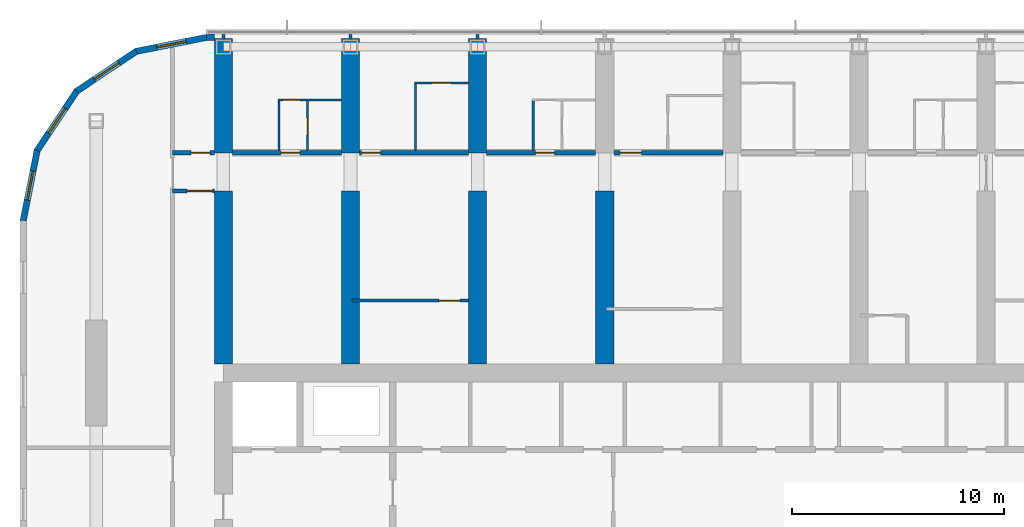
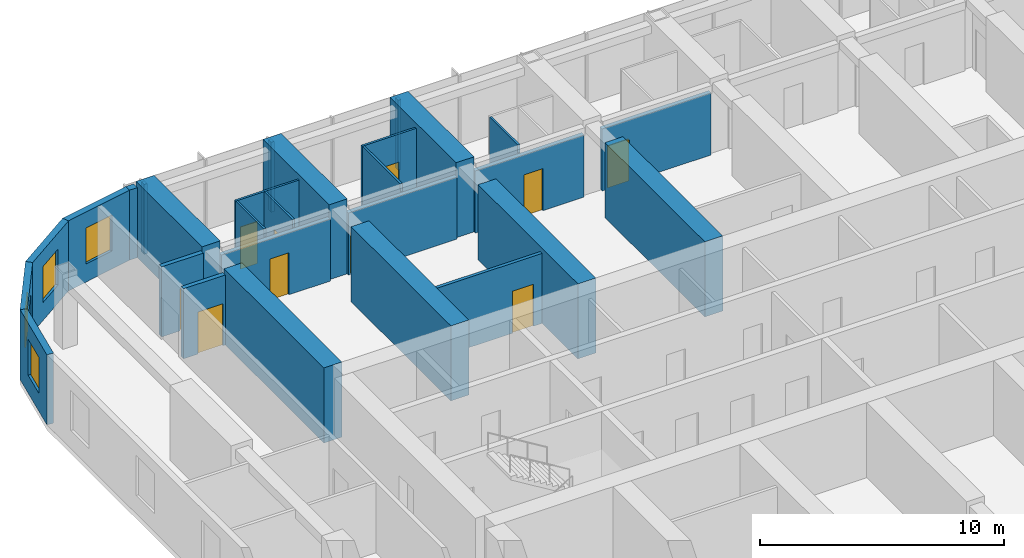
# One storey, part 15 of 22: 28 walls, 10 doors, 4 windows, 14 openings.
"""IFC4 building model written with IfcOpenShell, lengths in metres."""

from ifc_helpers import new_model, si_unit, direction, frame, frame_2d, origin, place, context, subcontext, project, spatial, polyline, rectangle, outline, extrude, material, layer, layer_set, type_object, element, fill, save


model = new_model("IFC4")

# Units and contexts
model_context = context("Model", 3, precision=1e-05, world=origin(), true_north=direction((0.0, 1.0)))
body_context = subcontext(model_context, "Body", "Model", "MODEL_VIEW")
ifc_project = project(units=[si_unit("LENGTHUNIT", "METRE"), si_unit("AREAUNIT", "SQUARE_METRE"), si_unit("VOLUMEUNIT", "CUBIC_METRE"), si_unit("PLANEANGLEUNIT", "RADIAN"), si_unit("MASSUNIT", "GRAM", prefix="KILO")], contexts=[model_context])

# Site, building, storey
site_placement = place(None, origin())
site = spatial("IfcSite", under=ifc_project, at=site_placement, CompositionType="ELEMENT")
building_placement = place(site_placement, origin())
building = spatial("IfcBuilding", under=site, at=building_placement, Name="Orbita Commons", CompositionType="ELEMENT")
storey_placement = place(building_placement, frame((0.0, 0.0, 186.10009765625)))
storey = spatial("IfcBuildingStorey", under=building, at=storey_placement, Name="L46", CompositionType="ELEMENT", Elevation=186.10009765625)

# Wall, opening, door
ifc_material_1 = material(Name="Concrete blockwork", Category="masonry")
ifc_layer_1 = layer(ifc_material_1, 0.199951171875)
ifc_layer_set_1 = layer_set([ifc_layer_1], Name="Concrete blockwork")
wall_type_1 = type_object("IfcWallType", Name="Corridor wall 200 blockwork", PredefinedType="SOLIDWALL", material=ifc_layer_set_1)
wall_1_placement = place(storey_placement, frame((15.60009765625, 48.60009765625, 0.0), z_axis=(0.0, 0.0, 1.0), x_axis=(1.0, 0.0, 0.0)))
wall_1 = element("IfcWall", 1, at=wall_1_placement, inside=storey, type_object=wall_type_1, Name="Corridor wall 200 blockwork L46", PredefinedType="SOLIDWALL", context=body_context, shape_type="SweptSolid", body=[
    extrude(rectangle(XDim=1.974853515625, YDim=0.199951171875, at=frame_2d((0.9873046875, 0.0))), origin(), (0.0, 0.0, 1.0), 3.5),
])
opening_1_placement = place(wall_1_placement, frame((0.875, 0.0, 0.0)))
opening_1 = element("IfcOpeningElement", 2, at=opening_1_placement, cuts=wall_1, Name="Opening D05", PredefinedType="OPENING", context=body_context, shape_type="SweptSolid", body=[
    extrude(rectangle(XDim=0.89990234375, YDim=2.10009765625, at=frame_2d((0.449951171875, 1.050048828125))), frame((0.0, 0.10986328125, 0.0), z_axis=(0.0, -1.0, 0.0), x_axis=(1.0, 0.0, 0.0)), (0.0, 0.0, 1.0), 0.219970703125),
])
ifc_material_2 = material(Name="Steel-faced fire door leaf", Category="steel")
door_type_1 = type_object("IfcDoorType", Name="Service door 20 min 900x2100", OperationType="SINGLE_SWING_LEFT", PredefinedType="DOOR", material=ifc_material_2)
door_1_placement = place(opening_1_placement, origin())
door_1 = element("IfcDoor", 3, at=door_1_placement, inside=storey, type_object=door_type_1, Name="Linen store L46-KWN door", OperationType="SINGLE_SWING_LEFT", OverallHeight=2.10009765625, OverallWidth=0.89990234375, PredefinedType="DOOR", context=body_context, shape_type="SweptSolid", body=[
    extrude(rectangle(XDim=0.89990234375, YDim=2.10009765625, at=frame_2d((0.449951171875, 1.050048828125))), frame((0.0, 0.02490234375, 0.0), z_axis=(0.0, -1.0, 0.0), x_axis=(1.0, 0.0, 0.0)), (0.0, 0.0, 1.0), 0.050048828125),
])
fill(opening_1, door_1)

wall_2_placement = place(storey_placement, frame((18.425048828125, 48.60009765625, 0.0), z_axis=(0.0, 0.0, 1.0), x_axis=(1.0, 0.0, 0.0)))
wall_2 = element("IfcWall", 4, at=wall_2_placement, inside=storey, type_object=wall_type_1, Name="Corridor wall 200 blockwork L46", PredefinedType="SOLIDWALL", context=body_context, shape_type="SweptSolid", body=[
    extrude(outline(polyline([(0.0, 0.0), (5.14990234375, 0.0), (5.14990234375, 3.099853515625), (0.0, 3.099853515625), (0.0, 0.0)])), frame((0.0, 0.10009765625, 0.0), z_axis=(0.0, -1.0, 0.0), x_axis=(1.0, 0.0, 0.0)), (0.0, 0.0, 1.0), 0.199951171875),
])
opening_2_placement = place(wall_2_placement, frame((2.300048828125, 0.0, 0.0)))
opening_2 = element("IfcOpeningElement", 5, at=opening_2_placement, cuts=wall_2, Name="Opening D11", PredefinedType="OPENING", context=body_context, shape_type="SweptSolid", body=[
    extrude(rectangle(XDim=0.89990234375, YDim=2.10009765625, at=frame_2d((0.449951171875, 1.050048828125))), frame((0.0, 0.10986328125, 0.0), z_axis=(0.0, -1.0, 0.0), x_axis=(1.0, 0.0, 0.0)), (0.0, 0.0, 1.0), 0.219970703125),
])
ifc_material_3 = material(Name="Steel-faced fire door leaf", Category="steel")
door_type_2 = type_object("IfcDoorType", Name="Corridor door 20 min 900x2100", OperationType="SINGLE_SWING_LEFT", PredefinedType="DOOR", material=ifc_material_3)
door_2_placement = place(opening_2_placement, origin())
door_2 = element("IfcDoor", 6, at=door_2_placement, inside=storey, type_object=door_type_2, Name="Studio flat L46-N00 entrance door", OperationType="SINGLE_SWING_LEFT", OverallHeight=2.10009765625, OverallWidth=0.89990234375, PredefinedType="DOOR", context=body_context, shape_type="SweptSolid", body=[
    extrude(rectangle(XDim=0.89990234375, YDim=2.10009765625, at=frame_2d((0.449951171875, 1.050048828125))), frame((0.0, 0.02490234375, 0.0), z_axis=(0.0, -1.0, 0.0), x_axis=(1.0, 0.0, 0.0)), (0.0, 0.0, 1.0), 0.050048828125),
])
fill(opening_2, door_2)

wall_3_placement = place(storey_placement, frame((24.425048828125, 48.60009765625, 0.0), z_axis=(0.0, 0.0, 1.0), x_axis=(1.0, 0.0, 0.0)))
wall_3 = element("IfcWall", 7, at=wall_3_placement, inside=storey, type_object=wall_type_1, Name="Corridor wall 200 blockwork L46", PredefinedType="SOLIDWALL", context=body_context, shape_type="SweptSolid", body=[
    extrude(outline(polyline([(0.0, 0.0), (5.14990234375, 0.0), (5.14990234375, 3.099853515625), (0.0, 3.099853515625), (0.0, 0.0)])), frame((0.0, 0.10009765625, 0.0), z_axis=(0.0, -1.0, 0.0), x_axis=(1.0, 0.0, 0.0)), (0.0, 0.0, 1.0), 0.199951171875),
])
opening_3_placement = place(wall_3_placement, frame((0.10009765625, 0.0, 0.0)))
opening_3 = element("IfcOpeningElement", 8, at=opening_3_placement, cuts=wall_3, Name="Opening D11", PredefinedType="OPENING", context=body_context, shape_type="SweptSolid", body=[
    extrude(rectangle(XDim=0.89990234375, YDim=2.10009765625, at=frame_2d((0.449951171875, 1.050048828125))), frame((0.0, 0.10986328125, 0.0), z_axis=(0.0, -1.0, 0.0), x_axis=(1.0, 0.0, 0.0)), (0.0, 0.0, 1.0), 0.219970703125),
])
door_3_placement = place(opening_3_placement, origin())
door_3 = element("IfcDoor", 9, at=door_3_placement, inside=storey, type_object=door_type_2, Name="Twin room L46-N02 door", OperationType="SINGLE_SWING_LEFT", OverallHeight=2.10009765625, OverallWidth=0.89990234375, PredefinedType="DOOR", context=body_context, shape_type="SweptSolid", body=[
    extrude(rectangle(XDim=0.89990234375, YDim=2.10009765625, at=frame_2d((0.449951171875, 1.050048828125))), frame((0.0, 0.02490234375, 0.0), z_axis=(0.0, -1.0, 0.0), x_axis=(1.0, 0.0, 0.0)), (0.0, 0.0, 1.0), 0.050048828125),
])
fill(opening_3, door_3)

wall_4_placement = place(storey_placement, frame((30.425048828125, 48.60009765625, 0.0), z_axis=(0.0, 0.0, 1.0), x_axis=(1.0, 0.0, 0.0)))
wall_4 = element("IfcWall", 10, at=wall_4_placement, inside=storey, type_object=wall_type_1, Name="Corridor wall 200 blockwork L46", PredefinedType="SOLIDWALL", context=body_context, shape_type="SweptSolid", body=[
    extrude(outline(polyline([(0.0, 0.0), (5.14990234375, 0.0), (5.14990234375, 3.099853515625), (0.0, 3.099853515625), (0.0, 0.0)])), frame((0.0, 0.10009765625, 0.0), z_axis=(0.0, -1.0, 0.0), x_axis=(1.0, 0.0, 0.0)), (0.0, 0.0, 1.0), 0.199951171875),
])
opening_4_placement = place(wall_4_placement, frame((2.300048828125, 0.0, 0.0)))
opening_4 = element("IfcOpeningElement", 11, at=opening_4_placement, cuts=wall_4, Name="Opening D11", PredefinedType="OPENING", context=body_context, shape_type="SweptSolid", body=[
    extrude(rectangle(XDim=0.89990234375, YDim=2.10009765625, at=frame_2d((0.449951171875, 1.050048828125))), frame((0.0, 0.10986328125, 0.0), z_axis=(0.0, -1.0, 0.0), x_axis=(1.0, 0.0, 0.0)), (0.0, 0.0, 1.0), 0.219970703125),
])
door_4_placement = place(opening_4_placement, origin())
door_4 = element("IfcDoor", 12, at=door_4_placement, inside=storey, type_object=door_type_2, Name="Studio flat L46-N04 entrance door", OperationType="SINGLE_SWING_LEFT", OverallHeight=2.10009765625, OverallWidth=0.89990234375, PredefinedType="DOOR", context=body_context, shape_type="SweptSolid", body=[
    extrude(rectangle(XDim=0.89990234375, YDim=2.10009765625, at=frame_2d((0.449951171875, 1.050048828125))), frame((0.0, 0.02490234375, 0.0), z_axis=(0.0, -1.0, 0.0), x_axis=(1.0, 0.0, 0.0)), (0.0, 0.0, 1.0), 0.050048828125),
])
fill(opening_4, door_4)

wall_5_placement = place(storey_placement, frame((36.425048828125, 48.60009765625, 0.0), z_axis=(0.0, 0.0, 1.0), x_axis=(1.0, 0.0, 0.0)))
wall_5 = element("IfcWall", 13, at=wall_5_placement, inside=storey, type_object=wall_type_1, Name="Corridor wall 200 blockwork L46", PredefinedType="SOLIDWALL", context=body_context, shape_type="SweptSolid", body=[
    extrude(outline(polyline([(0.0, 0.0), (5.14990234375, 0.0), (5.14990234375, 3.099853515625), (0.0, 3.099853515625), (0.0, 0.0)])), frame((0.0, 0.10009765625, 0.0), z_axis=(0.0, -1.0, 0.0), x_axis=(1.0, 0.0, 0.0)), (0.0, 0.0, 1.0), 0.199951171875),
])
opening_5_placement = place(wall_5_placement, frame((0.300048828125, 0.0, 0.0)))
opening_5 = element("IfcOpeningElement", 14, at=opening_5_placement, cuts=wall_5, Name="Opening D06", PredefinedType="OPENING", context=body_context, shape_type="SweptSolid", body=[
    extrude(rectangle(XDim=1.0, YDim=2.10009765625, at=frame_2d((0.5, 1.050048828125))), frame((0.0, 0.10986328125, 0.0), z_axis=(0.0, -1.0, 0.0), x_axis=(1.0, 0.0, 0.0)), (0.0, 0.0, 1.0), 0.219970703125),
])
ifc_material_4 = material(Name="Steel-faced fire door leaf", Category="steel")
door_type_3 = type_object("IfcDoorType", Name="Corridor door 20 min 1000x2100", OperationType="SINGLE_SWING_LEFT", PredefinedType="DOOR", material=ifc_material_4)
door_5_placement = place(opening_5_placement, origin())
door_5 = element("IfcDoor", 15, at=door_5_placement, inside=storey, type_object=door_type_3, Name="Accessible bedroom L46-N06 door", OperationType="SINGLE_SWING_LEFT", OverallHeight=2.10009765625, OverallWidth=1.0, PredefinedType="DOOR", context=body_context, shape_type="SweptSolid", body=[
    extrude(rectangle(XDim=1.0, YDim=2.10009765625, at=frame_2d((0.5, 1.050048828125))), frame((0.0, 0.02490234375, 0.0), z_axis=(0.0, -1.0, 0.0), x_axis=(1.0, 0.0, 0.0)), (0.0, 0.0, 1.0), 0.050048828125),
])
fill(opening_5, door_5)

ifc_material_5 = material(Name="Hollow concrete block 200", Category="concrete")
ifc_layer_2 = layer(ifc_material_5, 0.199951171875)
ifc_layer_set_2 = layer_set([ifc_layer_2], Name="Hollow concrete block 200")
wall_type_2 = type_object("IfcWallType", Name="Corridor wall 200 hollow concrete block", PredefinedType="SOLIDWALL", material=ifc_layer_set_2)
wall_6_placement = place(storey_placement, frame((15.60009765625, 46.800048828125, 0.0), z_axis=(0.0, 0.0, 1.0), x_axis=(1.0, 0.0, 0.0)))
wall_6 = element("IfcWall", 16, at=wall_6_placement, inside=storey, type_object=wall_type_2, Name="Corridor wall 200 hollow concrete block L46", PredefinedType="SOLIDWALL", context=body_context, shape_type="SweptSolid", body=[
    extrude(rectangle(XDim=1.974853515625, YDim=0.199951171875, at=frame_2d((0.9873046875, 0.0))), origin(), (0.0, 0.0, 1.0), 3.5),
])
opening_6_placement = place(wall_6_placement, frame((0.675048828125, 0.0, 0.0)))
opening_6 = element("IfcOpeningElement", 17, at=opening_6_placement, cuts=wall_6, Name="Opening D12", PredefinedType="OPENING", context=body_context, shape_type="SweptSolid", body=[
    extrude(rectangle(XDim=1.199951171875, YDim=2.10009765625, at=frame_2d((0.60009765625, 1.050048828125))), frame((0.0, 0.10986328125, 0.0), z_axis=(0.0, -1.0, 0.0), x_axis=(1.0, 0.0, 0.0)), (0.0, 0.0, 1.0), 0.219970703125),
])
ifc_material_6 = material(Name="Steel-faced fire door leaf", Category="steel")
door_type_4 = type_object("IfcDoorType", Name="Double corridor door 20 min 1200x2100", OperationType="DOUBLE_DOOR_SINGLE_SWING", PredefinedType="DOOR", material=ifc_material_6)
door_6_placement = place(opening_6_placement, origin())
door_6 = element("IfcDoor", 18, at=door_6_placement, inside=storey, type_object=door_type_4, Name="Cross corridor doors", OperationType="DOUBLE_DOOR_SINGLE_SWING", OverallHeight=2.10009765625, OverallWidth=1.199951171875, PredefinedType="DOOR", context=body_context, shape_type="SweptSolid", body=[
    extrude(rectangle(XDim=1.199951171875, YDim=2.10009765625, at=frame_2d((0.60009765625, 1.050048828125))), frame((0.0, 0.02490234375, 0.0), z_axis=(0.0, -1.0, 0.0), x_axis=(1.0, 0.0, 0.0)), (0.0, 0.0, 1.0), 0.050048828125),
])
fill(opening_6, door_6)

# Walls
ifc_material_7 = material(Name="Concrete C50/60", Category="concrete")
ifc_layer_3 = layer(ifc_material_7, 0.85009765625)
ifc_layer_set_3 = layer_set([ifc_layer_3], Name="Concrete C50/60")
wall_type_3 = type_object("IfcWallType", Name="Cross wall 850 C50/60", PredefinedType="SHEAR", material=ifc_layer_set_3)
wall_7_placement = place(storey_placement, frame((18.0, 48.60009765625, 0.0), z_axis=(0.0, 0.0, 1.0), x_axis=(0.0, 1.0, 0.0)))
element("IfcWall", 19, at=wall_7_placement, inside=storey, type_object=wall_type_3, Name="Cross wall 4 north outer L46", PredefinedType="SHEAR", context=body_context, shape_type="SweptSolid", body=[
    extrude(rectangle(XDim=5.39990234375, YDim=0.85009765625, at=frame_2d((2.699951171875, 0.0))), origin(), (0.0, 0.0, 1.0), 3.75),
])
wall_8_placement = place(storey_placement, frame((18.0, 38.625, 0.0), z_axis=(0.0, 0.0, 1.0), x_axis=(0.0, 1.0, 0.0)))
element("IfcWall", 20, at=wall_8_placement, inside=storey, type_object=wall_type_3, Name="Cross wall 4 north inner L46", PredefinedType="SHEAR", context=body_context, shape_type="SweptSolid", body=[
    extrude(rectangle(XDim=8.175048828125, YDim=0.85009765625, at=frame_2d((4.08740234375, 0.0))), origin(), (0.0, 0.0, 1.0), 3.75),
])
wall_9_placement = place(storey_placement, frame((24.0, 48.60009765625, 0.0), z_axis=(0.0, 0.0, 1.0), x_axis=(0.0, 1.0, 0.0)))
element("IfcWall", 21, at=wall_9_placement, inside=storey, type_object=wall_type_3, Name="Cross wall 5 north outer L46", PredefinedType="SHEAR", context=body_context, shape_type="SweptSolid", body=[
    extrude(rectangle(XDim=5.39990234375, YDim=0.85009765625, at=frame_2d((2.699951171875, 0.0))), origin(), (0.0, 0.0, 1.0), 3.75),
])
wall_10_placement = place(storey_placement, frame((24.0, 38.625, 0.0), z_axis=(0.0, 0.0, 1.0), x_axis=(0.0, 1.0, 0.0)))
element("IfcWall", 22, at=wall_10_placement, inside=storey, type_object=wall_type_3, Name="Cross wall 5 north inner L46", PredefinedType="SHEAR", context=body_context, shape_type="SweptSolid", body=[
    extrude(rectangle(XDim=8.175048828125, YDim=0.85009765625, at=frame_2d((4.08740234375, 0.0))), origin(), (0.0, 0.0, 1.0), 3.75),
])
wall_11_placement = place(storey_placement, frame((30.0, 48.60009765625, 0.0), z_axis=(0.0, 0.0, 1.0), x_axis=(0.0, 1.0, 0.0)))
element("IfcWall", 23, at=wall_11_placement, inside=storey, type_object=wall_type_3, Name="Cross wall 6 north outer L46", PredefinedType="SHEAR", context=body_context, shape_type="SweptSolid", body=[
    extrude(rectangle(XDim=5.39990234375, YDim=0.85009765625, at=frame_2d((2.699951171875, 0.0))), origin(), (0.0, 0.0, 1.0), 3.75),
])
for number, where, z_axis, x_axis, name in (
    (24, (30.0, 38.625, 0.0), (0.0, 0.0, 1.0), (0.0, 1.0, 0.0), "Cross wall 6 north inner L46"),
    (25, (36.0, 38.625, 0.0), (0.0, 0.0, 1.0), (0.0, 1.0, 0.0), "Cross wall 7 north inner L46"),
):
    element("IfcWall", number, at=place(storey_placement, frame(where, z_axis=z_axis, x_axis=x_axis)), inside=storey, type_object=wall_type_3, Name=name, PredefinedType="SHEAR", context=body_context, shape_type="SweptSolid", body=[
        extrude(rectangle(XDim=8.175048828125, YDim=0.85009765625, at=frame_2d((4.08740234375, 0.0))), origin(), (0.0, 0.0, 1.0), 3.75),
    ])

# Wall, opening, door
ifc_material_8 = material(Name="Moisture-resistant plasterboard on steel studs", Category="steel")
ifc_layer_4 = layer(ifc_material_8, 0.10009765625)
ifc_layer_set_4 = layer_set([ifc_layer_4], Name="Moisture-resistant plasterboard on steel studs")
wall_type_4 = type_object("IfcWallType", Name="En-suite partition 100", PredefinedType="PARTITIONING", material=ifc_layer_set_4)
wall_12_placement = place(storey_placement, frame((20.574951171875, 51.10009765625, 0.0), z_axis=(0.0, 0.0, 1.0), x_axis=(1.0, 0.0, 0.0)))
wall_12 = element("IfcWall", 26, at=wall_12_placement, inside=storey, type_object=wall_type_4, Name="En-suite partition 100 L46", PredefinedType="PARTITIONING", context=body_context, shape_type="SweptSolid", body=[
    extrude(rectangle(XDim=3.0, YDim=0.10009765625, at=frame_2d((1.5, 0.0))), origin(), (0.0, 0.0, 1.0), 3.5),
])
opening_7_placement = place(wall_12_placement, frame((0.25, 0.0, 0.0)))
opening_7 = element("IfcOpeningElement", 27, at=opening_7_placement, cuts=wall_12, Name="Opening D16", PredefinedType="OPENING", context=body_context, shape_type="SweptSolid", body=[
    extrude(rectangle(XDim=0.800048828125, YDim=2.10009765625, at=frame_2d((0.39990234375, 1.050048828125))), frame((0.0, 0.06005859375, 0.0), z_axis=(0.0, -1.0, 0.0), x_axis=(1.0, 0.0, 0.0)), (0.0, 0.0, 1.0), 0.1201171875),
])
ifc_material_9 = material(Name="Laminated timber door leaf", Category="wood")
door_type_5 = type_object("IfcDoorType", Name="En-suite door 800x2100", OperationType="SINGLE_SWING_RIGHT", PredefinedType="DOOR", material=ifc_material_9)
door_7_placement = place(opening_7_placement, origin())
door_7 = element("IfcDoor", 28, at=door_7_placement, inside=storey, type_object=door_type_5, Name="Studio flat L46-N00 door", OperationType="SINGLE_SWING_RIGHT", OverallHeight=2.10009765625, OverallWidth=0.800048828125, PredefinedType="DOOR", context=body_context, shape_type="SweptSolid", body=[
    extrude(rectangle(XDim=0.800048828125, YDim=2.10009765625, at=frame_2d((0.39990234375, 1.050048828125))), frame((0.0, 0.02490234375, 0.0), z_axis=(0.0, -1.0, 0.0), x_axis=(1.0, 0.0, 0.0)), (0.0, 0.0, 1.0), 0.050048828125),
])
fill(opening_7, door_7)

# Wall
wall_13_placement = place(storey_placement, frame((20.625, 51.050048828125, 0.0), z_axis=(0.0, 0.0, 1.0), x_axis=(0.0, -1.0, 0.0)))
element("IfcWall", 29, at=wall_13_placement, inside=storey, type_object=wall_type_4, Name="En-suite partition 100 L46", PredefinedType="PARTITIONING", context=body_context, shape_type="SweptSolid", body=[
    extrude(outline(polyline([(0.0, 0.0), (2.35009765625, 0.0), (2.35009765625, 3.099853515625), (2.302001953125, 3.099853515625), (2.300048828125, 3.5), (0.0, 3.5), (0.0, 0.0)])), frame((0.0, 0.050048828125, 0.0), z_axis=(0.0, -1.0, 0.0), x_axis=(1.0, 0.0, 0.0)), (0.0, 0.0, 1.0), 0.10009765625),
])

# Wall, opening, door
wall_14_placement = place(storey_placement, frame((21.97509765625, 51.050048828125, 0.0), z_axis=(0.0, 0.0, 1.0), x_axis=(0.0, -1.0, 0.0)))
wall_14 = element("IfcWall", 30, at=wall_14_placement, inside=storey, type_object=wall_type_4, Name="En-suite partition 100 L46", PredefinedType="PARTITIONING", context=body_context, shape_type="SweptSolid", body=[
    extrude(outline(polyline([(0.0, 0.0), (2.35009765625, 0.0), (2.35009765625, 3.099853515625), (2.302001953125, 3.099853515625), (2.300048828125, 3.5), (0.0, 3.5), (0.0, 0.0)])), frame((0.0, 0.050048828125, 0.0), z_axis=(0.0, -1.0, 0.0), x_axis=(1.0, 0.0, 0.0)), (0.0, 0.0, 1.0), 0.10009765625),
])
opening_8_placement = place(wall_14_placement, frame((0.800048828125, 0.0, 0.0)))
opening_8 = element("IfcOpeningElement", 31, at=opening_8_placement, cuts=wall_14, Name="Opening D16", PredefinedType="OPENING", context=body_context, shape_type="SweptSolid", body=[
    extrude(rectangle(XDim=0.800048828125, YDim=2.10009765625, at=frame_2d((0.39990234375, 1.050048828125))), frame((0.0, 0.06005859375, 0.0), z_axis=(0.0, -1.0, 0.0), x_axis=(1.0, 0.0, 0.0)), (0.0, 0.0, 1.0), 0.1201171875),
])
door_8_placement = place(opening_8_placement, origin())
door_8 = element("IfcDoor", 32, at=door_8_placement, inside=storey, type_object=door_type_5, Name="Studio flat shower room L46-N00 door", OperationType="SINGLE_SWING_RIGHT", OverallHeight=2.10009765625, OverallWidth=0.800048828125, PredefinedType="DOOR", context=body_context, shape_type="SweptSolid", body=[
    extrude(rectangle(XDim=0.800048828125, YDim=2.10009765625, at=frame_2d((0.39990234375, 1.050048828125))), frame((0.0, 0.02490234375, 0.0), z_axis=(0.0, -1.0, 0.0), x_axis=(1.0, 0.0, 0.0)), (0.0, 0.0, 1.0), 0.050048828125),
])
fill(opening_8, door_8)

wall_15_placement = place(storey_placement, frame((27.02490234375, 51.89990234375, 0.0), z_axis=(0.0, 0.0, 1.0), x_axis=(1.0, 0.0, 0.0)))
wall_15 = element("IfcWall", 33, at=wall_15_placement, inside=storey, type_object=wall_type_4, Name="En-suite partition 100 L46", PredefinedType="PARTITIONING", context=body_context, shape_type="SweptSolid", body=[
    extrude(rectangle(XDim=2.550048828125, YDim=0.10009765625, at=frame_2d((1.27490234375, 0.0))), origin(), (0.0, 0.0, 1.0), 3.5),
])
opening_9_placement = place(wall_15_placement, frame((0.824951171875, 0.0, 0.0)))
opening_9 = element("IfcOpeningElement", 34, at=opening_9_placement, cuts=wall_15, Name="Opening D09", PredefinedType="OPENING", context=body_context, shape_type="SweptSolid", body=[
    extrude(rectangle(XDim=0.89990234375, YDim=2.10009765625, at=frame_2d((0.449951171875, 1.050048828125))), frame((0.0, 0.06005859375, 0.0), z_axis=(0.0, -1.0, 0.0), x_axis=(1.0, 0.0, 0.0)), (0.0, 0.0, 1.0), 0.1201171875),
])
ifc_material_10 = material(Name="Laminated timber door leaf", Category="wood")
door_type_6 = type_object("IfcDoorType", Name="En-suite door 900x2100", OperationType="SINGLE_SWING_RIGHT", PredefinedType="DOOR", material=ifc_material_10)
door_9_placement = place(opening_9_placement, origin())
door_9 = element("IfcDoor", 35, at=door_9_placement, inside=storey, type_object=door_type_6, Name="En-suite L46-N02 door", OperationType="SINGLE_SWING_RIGHT", OverallHeight=2.10009765625, OverallWidth=0.89990234375, PredefinedType="DOOR", context=body_context, shape_type="SweptSolid", body=[
    extrude(rectangle(XDim=0.89990234375, YDim=2.10009765625, at=frame_2d((0.449951171875, 1.050048828125))), frame((0.0, 0.02490234375, 0.0), z_axis=(0.0, -1.0, 0.0), x_axis=(1.0, 0.0, 0.0)), (0.0, 0.0, 1.0), 0.050048828125),
])
fill(opening_9, door_9)

# Walls
wall_16_placement = place(storey_placement, frame((27.074951171875, 51.85009765625, 0.0), z_axis=(0.0, 0.0, 1.0), x_axis=(0.0, -1.0, 0.0)))
element("IfcWall", 36, at=wall_16_placement, inside=storey, type_object=wall_type_4, Name="En-suite partition 100 L46", PredefinedType="PARTITIONING", context=body_context, shape_type="SweptSolid", body=[
    extrude(outline(polyline([(0.0, 0.0), (3.150146484375, 0.0), (3.14990234375, 3.099853515625), (3.10205078125, 3.099853515625), (3.10009765625, 3.5), (0.0, 3.5), (0.0, 0.0)])), frame((0.0, 0.050048828125, 0.0), z_axis=(0.0, -1.0, 0.0), x_axis=(1.0, 0.0, 0.0)), (0.0, 0.0, 1.0), 0.10009765625),
])
wall_17_placement = place(storey_placement, frame((32.625, 51.050048828125, 0.0), z_axis=(0.0, 0.0, 1.0), x_axis=(0.0, -1.0, 0.0)))
element("IfcWall", 37, at=wall_17_placement, inside=storey, type_object=wall_type_4, Name="En-suite partition 100 L46", PredefinedType="PARTITIONING", context=body_context, shape_type="SweptSolid", body=[
    extrude(outline(polyline([(0.0, 0.0), (2.35009765625, 0.0), (2.35009765625, 3.099853515625), (2.302001953125, 3.099853515625), (2.300048828125, 3.5), (0.0, 3.5), (0.0, 0.0)])), frame((0.0, 0.050048828125, 0.0), z_axis=(0.0, -1.0, 0.0), x_axis=(1.0, 0.0, 0.0)), (0.0, 0.0, 1.0), 0.10009765625),
])

# Wall, opening, door
ifc_material_11 = material(Name="Gypsum plasterboard on steel studs", Category="steel")
ifc_layer_5 = layer(ifc_material_11, 0.14990234375)
ifc_layer_set_5 = layer_set([ifc_layer_5], Name="Gypsum plasterboard on steel studs")
wall_type_5 = type_object("IfcWallType", Name="Partition 150 plasterboard", PredefinedType="PARTITIONING", material=ifc_layer_set_5)
wall_18_placement = place(storey_placement, frame((29.574951171875, 41.625, 0.0), z_axis=(0.0, 0.0, 1.0), x_axis=(-1.0, 0.0, 0.0)))
wall_18 = element("IfcWall", 38, at=wall_18_placement, inside=storey, type_object=wall_type_5, Name="Partition 150 plasterboard L46", PredefinedType="PARTITIONING", context=body_context, shape_type="SweptSolid", body=[
    extrude(rectangle(XDim=5.5, YDim=0.14990234375, at=frame_2d((2.75, 0.0))), origin(), (0.0, 0.0, 1.0), 3.5),
])
opening_10_placement = place(wall_18_placement, frame((0.39990234375, 0.0, 0.0)))
opening_10 = element("IfcOpeningElement", 39, at=opening_10_placement, cuts=wall_18, Name="Opening D17", PredefinedType="OPENING", context=body_context, shape_type="SweptSolid", body=[
    extrude(rectangle(XDim=1.0, YDim=2.10009765625, at=frame_2d((0.5, 1.050048828125))), frame((0.0, 0.0849609375, 0.0), z_axis=(0.0, -1.0, 0.0), x_axis=(1.0, 0.0, 0.0)), (0.0, 0.0, 1.0), 0.169921875),
])
ifc_material_12 = material(Name="Steel-faced fire door leaf", Category="steel")
door_type_7 = type_object("IfcDoorType", Name="Shaft access door 90 min 1000x2100", OperationType="SINGLE_SWING_LEFT", PredefinedType="DOOR", material=ifc_material_12)
door_10_placement = place(opening_10_placement, origin())
door_10 = element("IfcDoor", 40, at=door_10_placement, inside=storey, type_object=door_type_7, Name="Ventilation plant room north L46-BDN24 door", OperationType="SINGLE_SWING_LEFT", OverallHeight=2.10009765625, OverallWidth=1.0, PredefinedType="DOOR", context=body_context, shape_type="SweptSolid", body=[
    extrude(rectangle(XDim=1.0, YDim=2.10009765625, at=frame_2d((0.5, 1.050048828125))), frame((0.0, 0.02490234375, 0.0), z_axis=(0.0, -1.0, 0.0), x_axis=(1.0, 0.0, 0.0)), (0.0, 0.0, 1.0), 0.050048828125),
])
fill(opening_10, door_10)

# Walls
for number, where, z_axis, x_axis, name in (
    (41, (18.0, 53.949951171875, 0.0), (0.0, 0.0, 1.0), (0.0, 1.0, 0.0), "Partition 150 plasterboard L46"),
    (42, (24.0, 53.949951171875, 0.0), (0.0, 0.0, 1.0), (0.0, 1.0, 0.0), "Partition 150 plasterboard L46"),
    (43, (30.0, 53.949951171875, 0.0), (0.0, 0.0, 1.0), (0.0, 1.0, 0.0), "Partition 150 plasterboard L46"),
):
    element("IfcWall", number, at=place(storey_placement, frame(where, z_axis=z_axis, x_axis=x_axis)), inside=storey, type_object=wall_type_5, Name=name, PredefinedType="PARTITIONING", context=body_context, shape_type="SweptSolid", body=[
        extrude(rectangle(XDim=0.239990234375, YDim=0.14990234375, at=frame_2d((0.1201171875, 0.0))), origin(), (0.0, 0.0, 1.0), 3.5),
    ])

# Wall, opening, window
ifc_material_13 = material(Name="Precast concrete C40/50, white board-marked finish", Category="concrete")
ifc_layer_6 = layer(ifc_material_13, 0.300048828125)
ifc_layer_set_6 = layer_set([ifc_layer_6], Name="Precast concrete C40/50, white board-marked finish")
wall_type_6 = type_object("IfcWallType", Name="Precast concrete end shield 300", PredefinedType="SOLIDWALL", material=ifc_layer_set_6)
wall_19_placement = place(storey_placement, frame((17.199951171875, 54.050048828125, 0.0), z_axis=(0.0, 0.0, 1.0), x_axis=(-0.98078325777, -0.195100490205, 0.0)))
wall_19 = element("IfcWall", 44, at=wall_19_placement, inside=storey, type_object=wall_type_6, Name="End shield NW chord 1 L46", PredefinedType="SOLIDWALL", context=body_context, shape_type="SweptSolid", body=[
    extrude(outline(polyline([(-0.02978515625, -0.14990234375), (3.40478515625, -0.14990234375), (3.34521484375, 0.14990234375), (0.02978515625, 0.14990234375), (-0.02978515625, -0.14990234375)])), origin(), (0.0, 0.0, 1.0), 3.5),
])
opening_11_placement = place(wall_19_placement, frame((0.987548828125, 0.0, 0.89990234375)))
opening_11 = element("IfcOpeningElement", 45, at=opening_11_placement, cuts=wall_19, Name="Opening W02", PredefinedType="OPENING", context=body_context, shape_type="SweptSolid", body=[
    extrude(rectangle(XDim=1.39990234375, YDim=1.800048828125, at=frame_2d((0.699951171875, 0.89990234375))), frame((0.0, 0.159912109375, 0.0), z_axis=(0.0, -1.0, 0.0), x_axis=(1.0, 0.0, 0.0)), (0.0, 0.0, 1.0), 0.320068359375),
])
ifc_material_14 = material(Name="Aluminium frame, clear double glazing", Category="aluminium")
window_type = type_object("IfcWindowType", Name="Deep-set window 1400x1800", PartitioningType="SINGLE_PANEL", PredefinedType="WINDOW", material=ifc_material_14)
window_1_placement = place(opening_11_placement, origin())
window_1 = element("IfcWindow", 46, at=window_1_placement, inside=storey, type_object=window_type, Name="Window L46-NW0", OverallHeight=1.800048828125, OverallWidth=1.39990234375, PartitioningType="SINGLE_PANEL", PredefinedType="WINDOW", context=body_context, shape_type="SweptSolid", body=[
    extrude(rectangle(XDim=1.39990234375, YDim=1.800048828125, at=frame_2d((0.699951171875, 0.89990234375))), frame((0.0, 0.030029296875, 0.0), z_axis=(0.0, -1.0, 0.0), x_axis=(1.0, 0.0, 0.0)), (0.0, 0.0, 1.0), 0.06005859375),
])
fill(opening_11, window_1)

wall_20_placement = place(storey_placement, frame((13.889892578125, 53.3916015625, 0.0), z_axis=(0.0, 0.0, 1.0), x_axis=(-0.831493450887, -0.555534554399, 0.0)))
wall_20 = element("IfcWall", 47, at=wall_20_placement, inside=storey, type_object=wall_type_6, Name="End shield NW chord 2 L46", PredefinedType="SOLIDWALL", context=body_context, shape_type="SweptSolid", body=[
    extrude(outline(polyline([(-0.02978515625, -0.14990234375), (3.405029296875, -0.14990234375), (3.345458984375, 0.14990234375), (0.02978515625, 0.14990234375), (-0.02978515625, -0.14990234375)])), origin(), (0.0, 0.0, 1.0), 3.5),
])
opening_12_placement = place(wall_20_placement, frame((0.987548828125, 0.0, 0.89990234375)))
opening_12 = element("IfcOpeningElement", 48, at=opening_12_placement, cuts=wall_20, Name="Opening W02", PredefinedType="OPENING", context=body_context, shape_type="SweptSolid", body=[
    extrude(rectangle(XDim=1.39990234375, YDim=1.800048828125, at=frame_2d((0.699951171875, 0.89990234375))), frame((0.0, 0.159912109375, 0.0), z_axis=(0.0, -1.0, 0.0), x_axis=(1.0, 0.0, 0.0)), (0.0, 0.0, 1.0), 0.320068359375),
])
window_2_placement = place(opening_12_placement, origin())
window_2 = element("IfcWindow", 49, at=window_2_placement, inside=storey, type_object=window_type, Name="Window L46-NW1", OverallHeight=1.800048828125, OverallWidth=1.39990234375, PartitioningType="SINGLE_PANEL", PredefinedType="WINDOW", context=body_context, shape_type="SweptSolid", body=[
    extrude(rectangle(XDim=1.39990234375, YDim=1.800048828125, at=frame_2d((0.699951171875, 0.89990234375))), frame((0.0, 0.030029296875, 0.0), z_axis=(0.0, -1.0, 0.0), x_axis=(1.0, 0.0, 0.0)), (0.0, 0.0, 1.0), 0.06005859375),
])
fill(opening_12, window_2)

wall_21_placement = place(storey_placement, frame((11.08349609375, 51.5166015625, 0.0), z_axis=(0.0, 0.0, 1.0), x_axis=(-0.555534554399, -0.831493450887, 0.0)))
wall_21 = element("IfcWall", 50, at=wall_21_placement, inside=storey, type_object=wall_type_6, Name="End shield NW chord 3 L46", PredefinedType="SOLIDWALL", context=body_context, shape_type="SweptSolid", body=[
    extrude(outline(polyline([(-0.02978515625, -0.14990234375), (3.405029296875, -0.14990234375), (3.345458984375, 0.14990234375), (0.02978515625, 0.14990234375), (-0.02978515625, -0.14990234375)])), origin(), (0.0, 0.0, 1.0), 3.5),
])
opening_13_placement = place(wall_21_placement, frame((0.987548828125, 0.0, 0.89990234375)))
opening_13 = element("IfcOpeningElement", 51, at=opening_13_placement, cuts=wall_21, Name="Opening W02", PredefinedType="OPENING", context=body_context, shape_type="SweptSolid", body=[
    extrude(rectangle(XDim=1.39990234375, YDim=1.800048828125, at=frame_2d((0.699951171875, 0.89990234375))), frame((0.0, 0.159912109375, 0.0), z_axis=(0.0, -1.0, 0.0), x_axis=(1.0, 0.0, 0.0)), (0.0, 0.0, 1.0), 0.320068359375),
])
window_3_placement = place(opening_13_placement, origin())
window_3 = element("IfcWindow", 52, at=window_3_placement, inside=storey, type_object=window_type, Name="Window L46-NW2", OverallHeight=1.800048828125, OverallWidth=1.39990234375, PartitioningType="SINGLE_PANEL", PredefinedType="WINDOW", context=body_context, shape_type="SweptSolid", body=[
    extrude(rectangle(XDim=1.39990234375, YDim=1.800048828125, at=frame_2d((0.699951171875, 0.89990234375))), frame((0.0, 0.030029296875, 0.0), z_axis=(0.0, -1.0, 0.0), x_axis=(1.0, 0.0, 0.0)), (0.0, 0.0, 1.0), 0.06005859375),
])
fill(opening_13, window_3)

wall_22_placement = place(storey_placement, frame((9.20849609375, 48.710205078125, 0.0), z_axis=(0.0, 0.0, 1.0), x_axis=(-0.19508664885, -0.980786011034, 0.0)))
wall_22 = element("IfcWall", 53, at=wall_22_placement, inside=storey, type_object=wall_type_6, Name="End shield NW chord 4 L46", PredefinedType="SOLIDWALL", context=body_context, shape_type="SweptSolid", body=[
    extrude(outline(polyline([(-0.02978515625, -0.14990234375), (3.39013671875, -0.14990234375), (3.3603515625, 0.14990234375), (0.02978515625, 0.14990234375), (-0.02978515625, -0.14990234375)])), origin(), (0.0, 0.0, 1.0), 3.5),
])
opening_14_placement = place(wall_22_placement, frame((0.987548828125, 0.0, 0.89990234375)))
opening_14 = element("IfcOpeningElement", 54, at=opening_14_placement, cuts=wall_22, Name="Opening W02", PredefinedType="OPENING", context=body_context, shape_type="SweptSolid", body=[
    extrude(rectangle(XDim=1.39990234375, YDim=1.800048828125, at=frame_2d((0.699951171875, 0.89990234375))), frame((0.0, 0.159912109375, 0.0), z_axis=(0.0, -1.0, 0.0), x_axis=(1.0, 0.0, 0.0)), (0.0, 0.0, 1.0), 0.320068359375),
])
window_4_placement = place(opening_14_placement, origin())
window_4 = element("IfcWindow", 55, at=window_4_placement, inside=storey, type_object=window_type, Name="Window L46-NW3", OverallHeight=1.800048828125, OverallWidth=1.39990234375, PartitioningType="SINGLE_PANEL", PredefinedType="WINDOW", context=body_context, shape_type="SweptSolid", body=[
    extrude(rectangle(XDim=1.39990234375, YDim=1.800048828125, at=frame_2d((0.699951171875, 0.89990234375))), frame((0.0, 0.030029296875, 0.0), z_axis=(0.0, -1.0, 0.0), x_axis=(1.0, 0.0, 0.0)), (0.0, 0.0, 1.0), 0.06005859375),
])
fill(opening_14, window_4)

# Wall
wall_23_placement = place(storey_placement, frame((17.199951171875, 54.050048828125, 0.0), z_axis=(0.0, 0.0, 1.0), x_axis=(1.0, 0.0, 0.0)))
element("IfcWall", 56, at=wall_23_placement, inside=storey, type_object=wall_type_6, Name="End shield NW closer L46", PredefinedType="SOLIDWALL", context=body_context, shape_type="SweptSolid", body=[
    extrude(rectangle(XDim=0.375, YDim=0.300048828125, at=frame_2d((0.1875, 0.0))), origin(), (0.0, 0.0, 1.0), 3.5),
])

save(model, "model.ifc")
